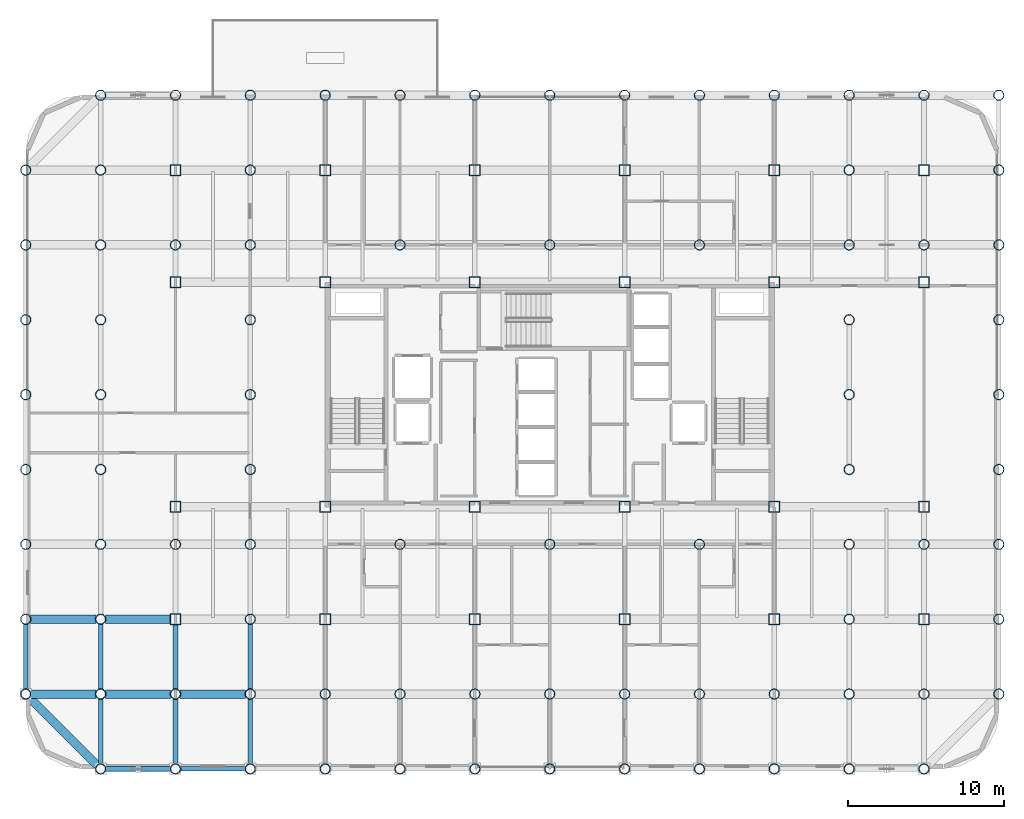
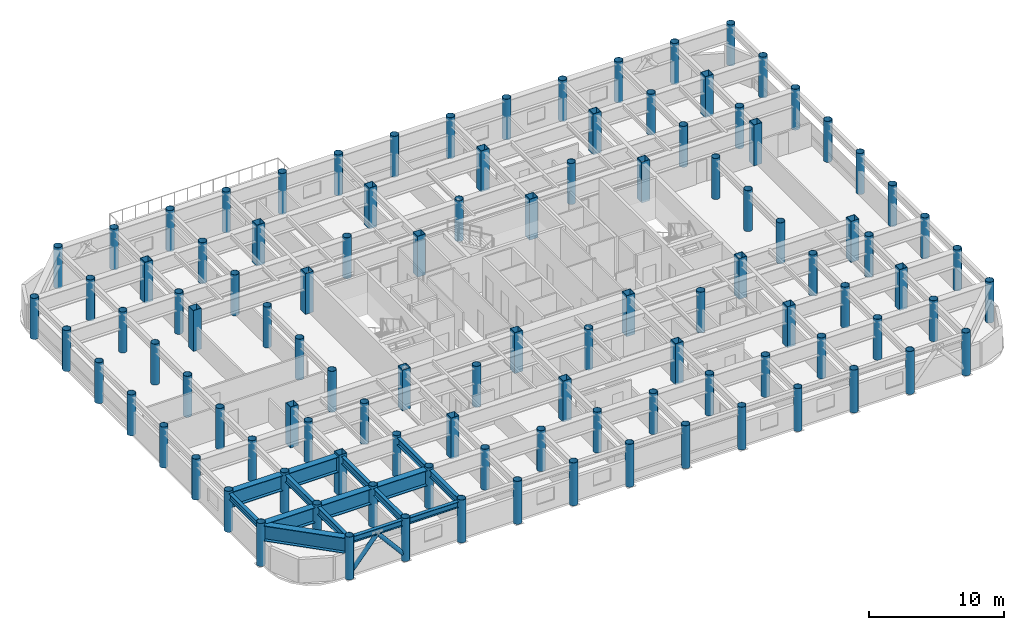
# One storey, part 1 of 22: 108 columns, 15 beams, 2 members.
"""IFC4 building model written with IfcOpenShell, lengths in metres."""

from ifc_helpers import new_model, si_unit, direction, frame, origin, origin_2d, place, context, subcontext, project, spatial, hollow_rectangle, hollow_circle, i_section, extrude, material, material_profile, profile_set, type_object, element, save


model = new_model("IFC4")

# Units and contexts
model_context = context("Model", 3, precision=1e-05, world=origin(), true_north=direction((0.0, 1.0)))
body_context = subcontext(model_context, "Body", "Model", "MODEL_VIEW")
ifc_project = project(units=[si_unit("LENGTHUNIT", "METRE"), si_unit("AREAUNIT", "SQUARE_METRE"), si_unit("VOLUMEUNIT", "CUBIC_METRE"), si_unit("PLANEANGLEUNIT", "RADIAN"), si_unit("MASSUNIT", "GRAM", prefix="KILO")], contexts=[model_context])

# Site, building, storey
site_placement = place(None, origin())
site = spatial("IfcSite", under=ifc_project, at=site_placement, CompositionType="ELEMENT")
building_placement = place(site_placement, origin())
building = spatial("IfcBuilding", under=site, at=building_placement, Name="Kallvorn Hotel Tower", CompositionType="ELEMENT")
storey_placement = place(building_placement, frame((0.0, 0.0, 154.39990234375)))
storey = spatial("IfcBuildingStorey", under=building, at=storey_placement, Name="L38", CompositionType="ELEMENT", Elevation=154.39990234375)

# Columns
ifc_material_1 = material(Name="Structural steel S355J2H", Category="steel")
ifc_material_profile_1 = material_profile(ifc_material_1, hollow_circle(Radius=0.330078125, WallThickness=0.028076171875, at=origin_2d()), Name="CHS 660x28")
ifc_profile_set_1 = profile_set([ifc_material_profile_1], Name="Structural steel S355J2H")
column_type_1 = type_object("IfcColumnType", Name="COL_CHS_660", PredefinedType="COLUMN", material=ifc_profile_set_1)
column_1_placement = place(storey_placement, frame((-33.60009765625, -19.199951171875, -0.179931640625), z_axis=(0.0, 0.0, 1.0), x_axis=(1.0, 0.0, 0.0)))
element("IfcColumn", 1, at=column_1_placement, inside=storey, type_object=column_type_1, Name="L38 Exoskeleton Column EC01", PredefinedType="COLUMN", context=body_context, shape_type="SweptSolid", body=[
    extrude(hollow_circle(Radius=0.330078125, WallThickness=0.028076171875, at=origin_2d()), origin(), (0.0, 0.0, 1.0), 3.880126953125),
])
for number, where, z_axis, x_axis, name in (
    (2, (-33.60009765625, -14.39990234375, 0.0), (0.0, 0.0, 1.0), (1.0, 0.0, 0.0), "L38 Exoskeleton Column EC02"),
    (3, (-33.60009765625, -9.60009765625, 0.0), (0.0, 0.0, 1.0), (1.0, 0.0, 0.0), "L38 Exoskeleton Column EC03"),
    (4, (-33.60009765625, -4.800048828125, 0.0), (0.0, 0.0, 1.0), (1.0, 0.0, 0.0), "L38 Exoskeleton Column EC04"),
    (5, (-33.60009765625, 0.0, 0.0), (0.0, 0.0, 1.0), (1.0, 0.0, 0.0), "L38 Exoskeleton Column EC05"),
    (6, (-33.60009765625, 4.800048828125, 0.0), (0.0, 0.0, 1.0), (1.0, 0.0, 0.0), "L38 Exoskeleton Column EC06"),
    (7, (-33.60009765625, 9.60009765625, 0.0), (0.0, 0.0, 1.0), (1.0, 0.0, 0.0), "L38 Exoskeleton Column EC07"),
    (8, (-33.60009765625, 14.39990234375, 0.0), (0.0, 0.0, 1.0), (1.0, 0.0, 0.0), "L38 Exoskeleton Column EC08"),
):
    element("IfcColumn", number, at=place(storey_placement, frame(where, z_axis=z_axis, x_axis=x_axis)), inside=storey, type_object=column_type_1, Name=name, PredefinedType="COLUMN", context=body_context, shape_type="SweptSolid", body=[
        extrude(hollow_circle(Radius=0.330078125, WallThickness=0.028076171875, at=origin_2d()), origin(), (0.0, 0.0, 1.0), 3.7001953125),
    ])
column_2_placement = place(storey_placement, frame((-28.800048828125, -24.0, -0.179931640625), z_axis=(0.0, 0.0, 1.0), x_axis=(1.0, 0.0, 0.0)))
element("IfcColumn", 9, at=column_2_placement, inside=storey, type_object=column_type_1, Name="L38 Exoskeleton Column EC09", PredefinedType="COLUMN", context=body_context, shape_type="SweptSolid", body=[
    extrude(hollow_circle(Radius=0.330078125, WallThickness=0.028076171875, at=origin_2d()), origin(), (0.0, 0.0, 1.0), 3.880126953125),
])
for number, where, z_axis, x_axis, name in (
    (10, (-28.800048828125, -19.199951171875, 0.0), (0.0, 0.0, 1.0), (1.0, 0.0, 0.0), "L38 Exoskeleton Column EC10"),
    (11, (-28.800048828125, -14.39990234375, 0.0), (0.0, 0.0, 1.0), (1.0, 0.0, 0.0), "L38 Exoskeleton Column EC11"),
    (12, (-28.800048828125, -9.60009765625, 0.0), (0.0, 0.0, 1.0), (1.0, 0.0, 0.0), "L38 Exoskeleton Column EC12"),
    (13, (-28.800048828125, -4.800048828125, 0.0), (0.0, 0.0, 1.0), (1.0, 0.0, 0.0), "L38 Exoskeleton Column EC13"),
    (14, (-28.800048828125, 0.0, 0.0), (0.0, 0.0, 1.0), (1.0, 0.0, 0.0), "L38 Exoskeleton Column EC14"),
    (15, (-28.800048828125, 4.800048828125, 0.0), (0.0, 0.0, 1.0), (1.0, 0.0, 0.0), "L38 Exoskeleton Column EC15"),
    (16, (-28.800048828125, 9.60009765625, 0.0), (0.0, 0.0, 1.0), (1.0, 0.0, 0.0), "L38 Exoskeleton Column EC16"),
    (17, (-28.800048828125, 14.39990234375, 0.0), (0.0, 0.0, 1.0), (1.0, 0.0, 0.0), "L38 Exoskeleton Column EC17"),
    (18, (-28.800048828125, 19.199951171875, 0.0), (0.0, 0.0, 1.0), (1.0, 0.0, 0.0), "L38 Exoskeleton Column EC18"),
):
    element("IfcColumn", number, at=place(storey_placement, frame(where, z_axis=z_axis, x_axis=x_axis)), inside=storey, type_object=column_type_1, Name=name, PredefinedType="COLUMN", context=body_context, shape_type="SweptSolid", body=[
        extrude(hollow_circle(Radius=0.330078125, WallThickness=0.028076171875, at=origin_2d()), origin(), (0.0, 0.0, 1.0), 3.7001953125),
    ])
column_3_placement = place(storey_placement, frame((-24.0, -24.0, -0.179931640625), z_axis=(0.0, 0.0, 1.0), x_axis=(1.0, 0.0, 0.0)))
element("IfcColumn", 19, at=column_3_placement, inside=storey, type_object=column_type_1, Name="L38 Exoskeleton Column EC19", PredefinedType="COLUMN", context=body_context, shape_type="SweptSolid", body=[
    extrude(hollow_circle(Radius=0.330078125, WallThickness=0.028076171875, at=origin_2d()), origin(), (0.0, 0.0, 1.0), 3.880126953125),
])
for number, where, z_axis, x_axis, name in (
    (20, (-24.0, -19.199951171875, 0.0), (0.0, 0.0, 1.0), (1.0, 0.0, 0.0), "L38 Exoskeleton Column EC20"),
    (21, (-24.0, -9.60009765625, 0.0), (0.0, 0.0, 1.0), (1.0, 0.0, 0.0), "L38 Exoskeleton Column EC21"),
    (22, (-24.0, 9.60009765625, 0.0), (0.0, 0.0, 1.0), (1.0, 0.0, 0.0), "L38 Exoskeleton Column EC22"),
    (23, (-24.0, 19.199951171875, 0.0), (0.0, 0.0, 1.0), (1.0, 0.0, 0.0), "L38 Exoskeleton Column EC23"),
):
    element("IfcColumn", number, at=place(storey_placement, frame(where, z_axis=z_axis, x_axis=x_axis)), inside=storey, type_object=column_type_1, Name=name, PredefinedType="COLUMN", context=body_context, shape_type="SweptSolid", body=[
        extrude(hollow_circle(Radius=0.330078125, WallThickness=0.028076171875, at=origin_2d()), origin(), (0.0, 0.0, 1.0), 3.7001953125),
    ])
column_4_placement = place(storey_placement, frame((-19.199951171875, -24.0, -0.179931640625), z_axis=(0.0, 0.0, 1.0), x_axis=(1.0, 0.0, 0.0)))
element("IfcColumn", 24, at=column_4_placement, inside=storey, type_object=column_type_1, Name="L38 Exoskeleton Column EC24", PredefinedType="COLUMN", context=body_context, shape_type="SweptSolid", body=[
    extrude(hollow_circle(Radius=0.330078125, WallThickness=0.028076171875, at=origin_2d()), origin(), (0.0, 0.0, 1.0), 3.880126953125),
])
for number, where, z_axis, x_axis, name in (
    (25, (-19.199951171875, -19.199951171875, 0.0), (0.0, 0.0, 1.0), (1.0, 0.0, 0.0), "L38 Exoskeleton Column EC25"),
    (26, (-19.199951171875, -14.39990234375, 0.0), (0.0, 0.0, 1.0), (1.0, 0.0, 0.0), "L38 Exoskeleton Column EC26"),
    (27, (-19.199951171875, -9.60009765625, 0.0), (0.0, 0.0, 1.0), (1.0, 0.0, 0.0), "L38 Exoskeleton Column EC27"),
    (28, (-19.199951171875, -4.800048828125, 0.0), (0.0, 0.0, 1.0), (1.0, 0.0, 0.0), "L38 Exoskeleton Column EC28"),
    (29, (-19.199951171875, 0.0, 0.0), (0.0, 0.0, 1.0), (1.0, 0.0, 0.0), "L38 Exoskeleton Column EC29"),
    (30, (-19.199951171875, 4.800048828125, 0.0), (0.0, 0.0, 1.0), (1.0, 0.0, 0.0), "L38 Exoskeleton Column EC30"),
    (31, (-19.199951171875, 9.60009765625, 0.0), (0.0, 0.0, 1.0), (1.0, 0.0, 0.0), "L38 Exoskeleton Column EC31"),
    (32, (-19.199951171875, 14.39990234375, 0.0), (0.0, 0.0, 1.0), (1.0, 0.0, 0.0), "L38 Exoskeleton Column EC32"),
    (33, (-19.199951171875, 19.199951171875, 0.0), (0.0, 0.0, 1.0), (1.0, 0.0, 0.0), "L38 Exoskeleton Column EC33"),
):
    element("IfcColumn", number, at=place(storey_placement, frame(where, z_axis=z_axis, x_axis=x_axis)), inside=storey, type_object=column_type_1, Name=name, PredefinedType="COLUMN", context=body_context, shape_type="SweptSolid", body=[
        extrude(hollow_circle(Radius=0.330078125, WallThickness=0.028076171875, at=origin_2d()), origin(), (0.0, 0.0, 1.0), 3.7001953125),
    ])
column_5_placement = place(storey_placement, frame((-14.39990234375, -24.0, -0.179931640625), z_axis=(0.0, 0.0, 1.0), x_axis=(1.0, 0.0, 0.0)))
element("IfcColumn", 34, at=column_5_placement, inside=storey, type_object=column_type_1, Name="L38 Exoskeleton Column EC34", PredefinedType="COLUMN", context=body_context, shape_type="SweptSolid", body=[
    extrude(hollow_circle(Radius=0.330078125, WallThickness=0.028076171875, at=origin_2d()), origin(), (0.0, 0.0, 1.0), 3.880126953125),
])
for number, where, z_axis, x_axis, name in (
    (35, (-14.39990234375, -19.199951171875, 0.0), (0.0, 0.0, 1.0), (1.0, 0.0, 0.0), "L38 Exoskeleton Column EC35"),
    (36, (-14.39990234375, 19.199951171875, 0.0), (0.0, 0.0, 1.0), (1.0, 0.0, 0.0), "L38 Exoskeleton Column EC36"),
):
    element("IfcColumn", number, at=place(storey_placement, frame(where, z_axis=z_axis, x_axis=x_axis)), inside=storey, type_object=column_type_1, Name=name, PredefinedType="COLUMN", context=body_context, shape_type="SweptSolid", body=[
        extrude(hollow_circle(Radius=0.330078125, WallThickness=0.028076171875, at=origin_2d()), origin(), (0.0, 0.0, 1.0), 3.7001953125),
    ])
column_6_placement = place(storey_placement, frame((-9.60009765625, -24.0, -0.179931640625), z_axis=(0.0, 0.0, 1.0), x_axis=(1.0, 0.0, 0.0)))
element("IfcColumn", 37, at=column_6_placement, inside=storey, type_object=column_type_1, Name="L38 Exoskeleton Column EC37", PredefinedType="COLUMN", context=body_context, shape_type="SweptSolid", body=[
    extrude(hollow_circle(Radius=0.330078125, WallThickness=0.028076171875, at=origin_2d()), origin(), (0.0, 0.0, 1.0), 3.880126953125),
])
for number, where, z_axis, x_axis, name in (
    (38, (-9.60009765625, -19.199951171875, 0.0), (0.0, 0.0, 1.0), (1.0, 0.0, 0.0), "L38 Exoskeleton Column EC38"),
    (39, (-9.60009765625, -9.60009765625, 0.0), (0.0, 0.0, 1.0), (1.0, 0.0, 0.0), "L38 Exoskeleton Column EC39"),
    (40, (-9.60009765625, 9.60009765625, 0.0), (0.0, 0.0, 1.0), (1.0, 0.0, 0.0), "L38 Exoskeleton Column EC40"),
    (41, (-9.60009765625, 19.199951171875, 0.0), (0.0, 0.0, 1.0), (1.0, 0.0, 0.0), "L38 Exoskeleton Column EC41"),
):
    element("IfcColumn", number, at=place(storey_placement, frame(where, z_axis=z_axis, x_axis=x_axis)), inside=storey, type_object=column_type_1, Name=name, PredefinedType="COLUMN", context=body_context, shape_type="SweptSolid", body=[
        extrude(hollow_circle(Radius=0.330078125, WallThickness=0.028076171875, at=origin_2d()), origin(), (0.0, 0.0, 1.0), 3.7001953125),
    ])
column_7_placement = place(storey_placement, frame((-4.800048828125, -24.0, -0.179931640625), z_axis=(0.0, 0.0, 1.0), x_axis=(1.0, 0.0, 0.0)))
element("IfcColumn", 42, at=column_7_placement, inside=storey, type_object=column_type_1, Name="L38 Exoskeleton Column EC42", PredefinedType="COLUMN", context=body_context, shape_type="SweptSolid", body=[
    extrude(hollow_circle(Radius=0.330078125, WallThickness=0.028076171875, at=origin_2d()), origin(), (0.0, 0.0, 1.0), 3.880126953125),
])
for number, where, z_axis, x_axis, name in (
    (43, (-4.800048828125, -19.199951171875, 0.0), (0.0, 0.0, 1.0), (1.0, 0.0, 0.0), "L38 Exoskeleton Column EC43"),
    (44, (-4.800048828125, 19.199951171875, 0.0), (0.0, 0.0, 1.0), (1.0, 0.0, 0.0), "L38 Exoskeleton Column EC44"),
):
    element("IfcColumn", number, at=place(storey_placement, frame(where, z_axis=z_axis, x_axis=x_axis)), inside=storey, type_object=column_type_1, Name=name, PredefinedType="COLUMN", context=body_context, shape_type="SweptSolid", body=[
        extrude(hollow_circle(Radius=0.330078125, WallThickness=0.028076171875, at=origin_2d()), origin(), (0.0, 0.0, 1.0), 3.7001953125),
    ])
column_8_placement = place(storey_placement, frame((0.0, -24.0, -0.179931640625), z_axis=(0.0, 0.0, 1.0), x_axis=(1.0, 0.0, 0.0)))
element("IfcColumn", 45, at=column_8_placement, inside=storey, type_object=column_type_1, Name="L38 Exoskeleton Column EC45", PredefinedType="COLUMN", context=body_context, shape_type="SweptSolid", body=[
    extrude(hollow_circle(Radius=0.330078125, WallThickness=0.028076171875, at=origin_2d()), origin(), (0.0, 0.0, 1.0), 3.880126953125),
])
for number, where, z_axis, x_axis, name in (
    (46, (0.0, -19.199951171875, 0.0), (0.0, 0.0, 1.0), (1.0, 0.0, 0.0), "L38 Exoskeleton Column EC46"),
    (47, (0.0, -9.60009765625, 0.0), (0.0, 0.0, 1.0), (1.0, 0.0, 0.0), "L38 Exoskeleton Column EC47"),
    (48, (0.0, 9.60009765625, 0.0), (0.0, 0.0, 1.0), (1.0, 0.0, 0.0), "L38 Exoskeleton Column EC48"),
    (49, (0.0, 19.199951171875, 0.0), (0.0, 0.0, 1.0), (1.0, 0.0, 0.0), "L38 Exoskeleton Column EC49"),
):
    element("IfcColumn", number, at=place(storey_placement, frame(where, z_axis=z_axis, x_axis=x_axis)), inside=storey, type_object=column_type_1, Name=name, PredefinedType="COLUMN", context=body_context, shape_type="SweptSolid", body=[
        extrude(hollow_circle(Radius=0.330078125, WallThickness=0.028076171875, at=origin_2d()), origin(), (0.0, 0.0, 1.0), 3.7001953125),
    ])
column_9_placement = place(storey_placement, frame((4.800048828125, -24.0, -0.179931640625), z_axis=(0.0, 0.0, 1.0), x_axis=(1.0, 0.0, 0.0)))
element("IfcColumn", 50, at=column_9_placement, inside=storey, type_object=column_type_1, Name="L38 Exoskeleton Column EC50", PredefinedType="COLUMN", context=body_context, shape_type="SweptSolid", body=[
    extrude(hollow_circle(Radius=0.330078125, WallThickness=0.028076171875, at=origin_2d()), origin(), (0.0, 0.0, 1.0), 3.880126953125),
])
for number, where, z_axis, x_axis, name in (
    (51, (4.800048828125, -19.199951171875, 0.0), (0.0, 0.0, 1.0), (1.0, 0.0, 0.0), "L38 Exoskeleton Column EC51"),
    (52, (4.800048828125, 19.199951171875, 0.0), (0.0, 0.0, 1.0), (1.0, 0.0, 0.0), "L38 Exoskeleton Column EC52"),
):
    element("IfcColumn", number, at=place(storey_placement, frame(where, z_axis=z_axis, x_axis=x_axis)), inside=storey, type_object=column_type_1, Name=name, PredefinedType="COLUMN", context=body_context, shape_type="SweptSolid", body=[
        extrude(hollow_circle(Radius=0.330078125, WallThickness=0.028076171875, at=origin_2d()), origin(), (0.0, 0.0, 1.0), 3.7001953125),
    ])
column_10_placement = place(storey_placement, frame((9.60009765625, -24.0, -0.179931640625), z_axis=(0.0, 0.0, 1.0), x_axis=(1.0, 0.0, 0.0)))
element("IfcColumn", 53, at=column_10_placement, inside=storey, type_object=column_type_1, Name="L38 Exoskeleton Column EC53", PredefinedType="COLUMN", context=body_context, shape_type="SweptSolid", body=[
    extrude(hollow_circle(Radius=0.330078125, WallThickness=0.028076171875, at=origin_2d()), origin(), (0.0, 0.0, 1.0), 3.880126953125),
])
for number, where, z_axis, x_axis, name in (
    (54, (9.60009765625, -19.199951171875, 0.0), (0.0, 0.0, 1.0), (1.0, 0.0, 0.0), "L38 Exoskeleton Column EC54"),
    (55, (9.60009765625, -9.60009765625, 0.0), (0.0, 0.0, 1.0), (1.0, 0.0, 0.0), "L38 Exoskeleton Column EC55"),
    (56, (9.60009765625, 9.60009765625, 0.0), (0.0, 0.0, 1.0), (1.0, 0.0, 0.0), "L38 Exoskeleton Column EC56"),
    (57, (9.60009765625, 19.199951171875, 0.0), (0.0, 0.0, 1.0), (1.0, 0.0, 0.0), "L38 Exoskeleton Column EC57"),
):
    element("IfcColumn", number, at=place(storey_placement, frame(where, z_axis=z_axis, x_axis=x_axis)), inside=storey, type_object=column_type_1, Name=name, PredefinedType="COLUMN", context=body_context, shape_type="SweptSolid", body=[
        extrude(hollow_circle(Radius=0.330078125, WallThickness=0.028076171875, at=origin_2d()), origin(), (0.0, 0.0, 1.0), 3.7001953125),
    ])
column_11_placement = place(storey_placement, frame((14.39990234375, -24.0, -0.179931640625), z_axis=(0.0, 0.0, 1.0), x_axis=(1.0, 0.0, 0.0)))
element("IfcColumn", 58, at=column_11_placement, inside=storey, type_object=column_type_1, Name="L38 Exoskeleton Column EC58", PredefinedType="COLUMN", context=body_context, shape_type="SweptSolid", body=[
    extrude(hollow_circle(Radius=0.330078125, WallThickness=0.028076171875, at=origin_2d()), origin(), (0.0, 0.0, 1.0), 3.880126953125),
])
for number, where, z_axis, x_axis, name in (
    (59, (14.39990234375, -19.199951171875, 0.0), (0.0, 0.0, 1.0), (1.0, 0.0, 0.0), "L38 Exoskeleton Column EC59"),
    (60, (14.39990234375, 19.199951171875, 0.0), (0.0, 0.0, 1.0), (1.0, 0.0, 0.0), "L38 Exoskeleton Column EC60"),
):
    element("IfcColumn", number, at=place(storey_placement, frame(where, z_axis=z_axis, x_axis=x_axis)), inside=storey, type_object=column_type_1, Name=name, PredefinedType="COLUMN", context=body_context, shape_type="SweptSolid", body=[
        extrude(hollow_circle(Radius=0.330078125, WallThickness=0.028076171875, at=origin_2d()), origin(), (0.0, 0.0, 1.0), 3.7001953125),
    ])
column_12_placement = place(storey_placement, frame((19.199951171875, -24.0, -0.179931640625), z_axis=(0.0, 0.0, 1.0), x_axis=(1.0, 0.0, 0.0)))
element("IfcColumn", 61, at=column_12_placement, inside=storey, type_object=column_type_1, Name="L38 Exoskeleton Column EC61", PredefinedType="COLUMN", context=body_context, shape_type="SweptSolid", body=[
    extrude(hollow_circle(Radius=0.330078125, WallThickness=0.028076171875, at=origin_2d()), origin(), (0.0, 0.0, 1.0), 3.880126953125),
])
for number, where, z_axis, x_axis, name in (
    (62, (19.199951171875, -19.199951171875, 0.0), (0.0, 0.0, 1.0), (1.0, 0.0, 0.0), "L38 Exoskeleton Column EC62"),
    (63, (19.199951171875, -14.39990234375, 0.0), (0.0, 0.0, 1.0), (1.0, 0.0, 0.0), "L38 Exoskeleton Column EC63"),
    (64, (19.199951171875, -9.60009765625, 0.0), (0.0, 0.0, 1.0), (1.0, 0.0, 0.0), "L38 Exoskeleton Column EC64"),
    (65, (19.199951171875, -4.800048828125, 0.0), (0.0, 0.0, 1.0), (1.0, 0.0, 0.0), "L38 Exoskeleton Column EC65"),
    (66, (19.199951171875, 0.0, 0.0), (0.0, 0.0, 1.0), (1.0, 0.0, 0.0), "L38 Exoskeleton Column EC66"),
    (67, (19.199951171875, 4.800048828125, 0.0), (0.0, 0.0, 1.0), (1.0, 0.0, 0.0), "L38 Exoskeleton Column EC67"),
    (68, (19.199951171875, 9.60009765625, 0.0), (0.0, 0.0, 1.0), (1.0, 0.0, 0.0), "L38 Exoskeleton Column EC68"),
    (69, (19.199951171875, 14.39990234375, 0.0), (0.0, 0.0, 1.0), (1.0, 0.0, 0.0), "L38 Exoskeleton Column EC69"),
    (70, (19.199951171875, 19.199951171875, 0.0), (0.0, 0.0, 1.0), (1.0, 0.0, 0.0), "L38 Exoskeleton Column EC70"),
):
    element("IfcColumn", number, at=place(storey_placement, frame(where, z_axis=z_axis, x_axis=x_axis)), inside=storey, type_object=column_type_1, Name=name, PredefinedType="COLUMN", context=body_context, shape_type="SweptSolid", body=[
        extrude(hollow_circle(Radius=0.330078125, WallThickness=0.028076171875, at=origin_2d()), origin(), (0.0, 0.0, 1.0), 3.7001953125),
    ])
column_13_placement = place(storey_placement, frame((24.0, -24.0, -0.179931640625), z_axis=(0.0, 0.0, 1.0), x_axis=(1.0, 0.0, 0.0)))
element("IfcColumn", 71, at=column_13_placement, inside=storey, type_object=column_type_1, Name="L38 Exoskeleton Column EC71", PredefinedType="COLUMN", context=body_context, shape_type="SweptSolid", body=[
    extrude(hollow_circle(Radius=0.330078125, WallThickness=0.028076171875, at=origin_2d()), origin(), (0.0, 0.0, 1.0), 3.880126953125),
])
for number, where, z_axis, x_axis, name in (
    (72, (24.0, -19.199951171875, 0.0), (0.0, 0.0, 1.0), (1.0, 0.0, 0.0), "L38 Exoskeleton Column EC72"),
    (73, (24.0, -9.60009765625, 0.0), (0.0, 0.0, 1.0), (1.0, 0.0, 0.0), "L38 Exoskeleton Column EC73"),
    (74, (24.0, 9.60009765625, 0.0), (0.0, 0.0, 1.0), (1.0, 0.0, 0.0), "L38 Exoskeleton Column EC74"),
    (75, (24.0, 19.199951171875, 0.0), (0.0, 0.0, 1.0), (1.0, 0.0, 0.0), "L38 Exoskeleton Column EC75"),
    (76, (28.800048828125, -19.199951171875, 0.0), (0.0, 0.0, 1.0), (1.0, 0.0, 0.0), "L38 Exoskeleton Column EC76"),
    (77, (28.800048828125, -14.39990234375, 0.0), (0.0, 0.0, 1.0), (1.0, 0.0, 0.0), "L38 Exoskeleton Column EC77"),
    (78, (28.800048828125, -9.60009765625, 0.0), (0.0, 0.0, 1.0), (1.0, 0.0, 0.0), "L38 Exoskeleton Column EC78"),
    (79, (28.800048828125, -4.800048828125, 0.0), (0.0, 0.0, 1.0), (1.0, 0.0, 0.0), "L38 Exoskeleton Column EC79"),
    (80, (28.800048828125, 0.0, 0.0), (0.0, 0.0, 1.0), (1.0, 0.0, 0.0), "L38 Exoskeleton Column EC80"),
    (81, (28.800048828125, 4.800048828125, 0.0), (0.0, 0.0, 1.0), (1.0, 0.0, 0.0), "L38 Exoskeleton Column EC81"),
    (82, (28.800048828125, 9.60009765625, 0.0), (0.0, 0.0, 1.0), (1.0, 0.0, 0.0), "L38 Exoskeleton Column EC82"),
    (83, (28.800048828125, 14.39990234375, 0.0), (0.0, 0.0, 1.0), (1.0, 0.0, 0.0), "L38 Exoskeleton Column EC83"),
    (84, (28.800048828125, 19.199951171875, 0.0), (0.0, 0.0, 1.0), (1.0, 0.0, 0.0), "L38 Exoskeleton Column EC84"),
):
    element("IfcColumn", number, at=place(storey_placement, frame(where, z_axis=z_axis, x_axis=x_axis)), inside=storey, type_object=column_type_1, Name=name, PredefinedType="COLUMN", context=body_context, shape_type="SweptSolid", body=[
        extrude(hollow_circle(Radius=0.330078125, WallThickness=0.028076171875, at=origin_2d()), origin(), (0.0, 0.0, 1.0), 3.7001953125),
    ])
ifc_material_2 = material(Name="Structural steel S355J2H", Category="steel")
ifc_material_profile_2 = material_profile(ifc_material_2, hollow_rectangle(XDim=0.699951171875, YDim=0.699951171875, WallThickness=0.031982421875, at=origin_2d()), Name="RHS 700x700x32")
ifc_profile_set_2 = profile_set([ifc_material_profile_2], Name="Structural steel S355J2H")
column_type_2 = type_object("IfcColumnType", Name="COL_RHS_700", PredefinedType="COLUMN", material=ifc_profile_set_2)
for number, where, z_axis, x_axis, name in (
    (85, (-24.0, -14.39990234375, 0.0), (0.0, 0.0, 1.0), (1.0, 0.0, 0.0), "L38 Inner Column IC01"),
    (86, (-24.0, -7.199951171875, 0.0), (0.0, 0.0, 1.0), (1.0, 0.0, 0.0), "L38 Inner Column IC02"),
    (87, (-24.0, 7.199951171875, 0.0), (0.0, 0.0, 1.0), (1.0, 0.0, 0.0), "L38 Inner Column IC03"),
    (88, (-24.0, 14.39990234375, 0.0), (0.0, 0.0, 1.0), (1.0, 0.0, 0.0), "L38 Inner Column IC04"),
    (89, (-14.39990234375, -14.39990234375, 0.0), (0.0, 0.0, 1.0), (1.0, 0.0, 0.0), "L38 Inner Column IC05"),
    (90, (-14.39990234375, -7.199951171875, 0.0), (0.0, 0.0, 1.0), (1.0, 0.0, 0.0), "L38 Inner Column IC06"),
    (91, (-14.39990234375, 7.199951171875, 0.0), (0.0, 0.0, 1.0), (1.0, 0.0, 0.0), "L38 Inner Column IC07"),
    (92, (-14.39990234375, 14.39990234375, 0.0), (0.0, 0.0, 1.0), (1.0, 0.0, 0.0), "L38 Inner Column IC08"),
    (93, (-4.800048828125, -14.39990234375, 0.0), (0.0, 0.0, 1.0), (1.0, 0.0, 0.0), "L38 Inner Column IC09"),
    (94, (-4.800048828125, -7.199951171875, 0.0), (0.0, 0.0, 1.0), (1.0, 0.0, 0.0), "L38 Inner Column IC10"),
    (95, (-4.800048828125, 7.199951171875, 0.0), (0.0, 0.0, 1.0), (1.0, 0.0, 0.0), "L38 Inner Column IC11"),
    (96, (-4.800048828125, 14.39990234375, 0.0), (0.0, 0.0, 1.0), (1.0, 0.0, 0.0), "L38 Inner Column IC12"),
    (97, (4.800048828125, -14.39990234375, 0.0), (0.0, 0.0, 1.0), (1.0, 0.0, 0.0), "L38 Inner Column IC13"),
    (98, (4.800048828125, -7.199951171875, 0.0), (0.0, 0.0, 1.0), (1.0, 0.0, 0.0), "L38 Inner Column IC14"),
    (99, (4.800048828125, 7.199951171875, 0.0), (0.0, 0.0, 1.0), (1.0, 0.0, 0.0), "L38 Inner Column IC15"),
    (100, (4.800048828125, 14.39990234375, 0.0), (0.0, 0.0, 1.0), (1.0, 0.0, 0.0), "L38 Inner Column IC16"),
    (101, (14.39990234375, -14.39990234375, 0.0), (0.0, 0.0, 1.0), (1.0, 0.0, 0.0), "L38 Inner Column IC17"),
    (102, (14.39990234375, -7.199951171875, 0.0), (0.0, 0.0, 1.0), (1.0, 0.0, 0.0), "L38 Inner Column IC18"),
    (103, (14.39990234375, 7.199951171875, 0.0), (0.0, 0.0, 1.0), (1.0, 0.0, 0.0), "L38 Inner Column IC19"),
    (104, (14.39990234375, 14.39990234375, 0.0), (0.0, 0.0, 1.0), (1.0, 0.0, 0.0), "L38 Inner Column IC20"),
    (105, (24.0, -14.39990234375, 0.0), (0.0, 0.0, 1.0), (1.0, 0.0, 0.0), "L38 Inner Column IC21"),
    (106, (24.0, -7.199951171875, 0.0), (0.0, 0.0, 1.0), (1.0, 0.0, 0.0), "L38 Inner Column IC22"),
    (107, (24.0, 7.199951171875, 0.0), (0.0, 0.0, 1.0), (1.0, 0.0, 0.0), "L38 Inner Column IC23"),
    (108, (24.0, 14.39990234375, 0.0), (0.0, 0.0, 1.0), (1.0, 0.0, 0.0), "L38 Inner Column IC24"),
):
    element("IfcColumn", number, at=place(storey_placement, frame(where, z_axis=z_axis, x_axis=x_axis)), inside=storey, type_object=column_type_2, Name=name, PredefinedType="COLUMN", context=body_context, shape_type="SweptSolid", body=[
        extrude(hollow_rectangle(XDim=0.699951171875, YDim=0.699951171875, WallThickness=0.031982421875, at=origin_2d()), origin(), (0.0, 0.0, 1.0), 3.7001953125),
    ])

# Beams
ifc_material_3 = material(Name="Structural steel S355JR", Category="steel")
ifc_material_profile_3 = material_profile(ifc_material_3, i_section(OverallWidth=0.300048828125, OverallDepth=0.550048828125, WebThickness=0.014892578125, FlangeThickness=0.029052734375, at=origin_2d()), Name="HE 550 B")
ifc_profile_set_3 = profile_set([ifc_material_profile_3], Name="Structural steel S355JR")
beam_type_1 = type_object("IfcBeamType", Name="BM_HE550B", PredefinedType="SPANDREL", material=ifc_profile_set_3)
for number, where, z_axis, x_axis, name in (
    (109, (-28.47998046875, -24.0, 3.2451171875), (1.0, 0.0, 0.0), (0.0, 1.0, 0.0), "L39 Perimeter Spandrel 151"),
    (110, (-23.679931640625, -24.0, 3.2451171875), (1.0, 0.0, 0.0), (0.0, 1.0, 0.0), "L39 Perimeter Spandrel 152"),
    (111, (-33.60009765625, -18.8798828125, 3.2451171875), (0.0, 1.0, 0.0), (-1.0, 0.0, 0.0), "L39 Perimeter Spandrel 174"),
):
    element("IfcBeam", number, at=place(storey_placement, frame(where, z_axis=z_axis, x_axis=x_axis)), inside=storey, type_object=beam_type_1, Name=name, PredefinedType="SPANDREL", context=body_context, shape_type="SweptSolid", body=[
        extrude(i_section(OverallWidth=0.300048828125, OverallDepth=0.550048828125, WebThickness=0.014892578125, FlangeThickness=0.029052734375, at=origin_2d()), origin(), (0.0, 0.0, 1.0), 4.159912109375),
    ])
ifc_material_4 = material(Name="Structural steel S355JR", Category="steel")
ifc_material_profile_4 = material_profile(ifc_material_4, i_section(OverallWidth=0.300048828125, OverallDepth=0.64990234375, WebThickness=0.01611328125, FlangeThickness=0.031005859375, at=origin_2d()), Name="HE 650 B")
ifc_profile_set_4 = profile_set([ifc_material_profile_4], Name="Structural steel S355JR")
beam_type_2 = type_object("IfcBeamType", Name="BM_HE650B", PredefinedType="BEAM", material=ifc_profile_set_4)
beam_1_placement = place(storey_placement, frame((-28.800048828125, -23.695068359375, 3.195068359375), z_axis=(0.0, 1.0, 0.0), x_axis=(-1.0, 0.0, 0.0)))
element("IfcBeam", 112, at=beam_1_placement, inside=storey, type_object=beam_type_2, Name="L39 Primary Y-Girder 73", PredefinedType="BEAM", context=body_context, shape_type="SweptSolid", body=[
    extrude(i_section(OverallWidth=0.300048828125, OverallDepth=0.64990234375, WebThickness=0.01611328125, FlangeThickness=0.031005859375, at=origin_2d()), origin(), (0.0, 0.0, 1.0), 4.190185546875),
])
beam_2_placement = place(storey_placement, frame((-28.800048828125, -18.89501953125, 3.195068359375), z_axis=(0.0, 1.0, 0.0), x_axis=(-1.0, 0.0, 0.0)))
element("IfcBeam", 113, at=beam_2_placement, inside=storey, type_object=beam_type_2, Name="L39 Primary Y-Girder 74", PredefinedType="BEAM", context=body_context, shape_type="SweptSolid", body=[
    extrude(i_section(OverallWidth=0.300048828125, OverallDepth=0.64990234375, WebThickness=0.01611328125, FlangeThickness=0.031005859375, at=origin_2d()), origin(), (0.0, 0.0, 1.0), 4.18994140625),
])
beam_3_placement = place(storey_placement, frame((-24.0, -23.695068359375, 3.195068359375), z_axis=(0.0, 1.0, 0.0), x_axis=(-1.0, 0.0, 0.0)))
element("IfcBeam", 114, at=beam_3_placement, inside=storey, type_object=beam_type_2, Name="L39 Primary Y-Girder 82", PredefinedType="BEAM", context=body_context, shape_type="SweptSolid", body=[
    extrude(i_section(OverallWidth=0.300048828125, OverallDepth=0.64990234375, WebThickness=0.01611328125, FlangeThickness=0.031005859375, at=origin_2d()), origin(), (0.0, 0.0, 1.0), 4.190185546875),
])
beam_4_placement = place(storey_placement, frame((-24.0, -18.89501953125, 3.195068359375), z_axis=(0.0, 1.0, 0.0), x_axis=(-1.0, 0.0, 0.0)))
element("IfcBeam", 115, at=beam_4_placement, inside=storey, type_object=beam_type_2, Name="L39 Primary Y-Girder 83", PredefinedType="BEAM", context=body_context, shape_type="SweptSolid", body=[
    extrude(i_section(OverallWidth=0.300048828125, OverallDepth=0.64990234375, WebThickness=0.01611328125, FlangeThickness=0.031005859375, at=origin_2d()), origin(), (0.0, 0.0, 1.0), 4.169921875),
])
beam_5_placement = place(storey_placement, frame((-19.199951171875, -23.695068359375, 3.195068359375), z_axis=(0.0, 1.0, 0.0), x_axis=(-1.0, 0.0, 0.0)))
element("IfcBeam", 116, at=beam_5_placement, inside=storey, type_object=beam_type_2, Name="L39 Primary Y-Girder 89", PredefinedType="BEAM", context=body_context, shape_type="SweptSolid", body=[
    extrude(i_section(OverallWidth=0.300048828125, OverallDepth=0.64990234375, WebThickness=0.01611328125, FlangeThickness=0.031005859375, at=origin_2d()), origin(), (0.0, 0.0, 1.0), 4.190185546875),
])
beam_6_placement = place(storey_placement, frame((-19.199951171875, -18.89501953125, 3.195068359375), z_axis=(0.0, 1.0, 0.0), x_axis=(-1.0, 0.0, 0.0)))
element("IfcBeam", 117, at=beam_6_placement, inside=storey, type_object=beam_type_2, Name="L39 Primary Y-Girder 90", PredefinedType="BEAM", context=body_context, shape_type="SweptSolid", body=[
    extrude(i_section(OverallWidth=0.300048828125, OverallDepth=0.64990234375, WebThickness=0.01611328125, FlangeThickness=0.031005859375, at=origin_2d()), origin(), (0.0, 0.0, 1.0), 4.18994140625),
])
ifc_material_5 = material(Name="Structural steel S355JR", Category="steel")
ifc_material_profile_5 = material_profile(ifc_material_5, i_section(OverallWidth=0.550048828125, OverallDepth=1.39990234375, WebThickness=0.02490234375, FlangeThickness=0.044921875, at=origin_2d()), Name="PG 1400x550x25x45")
ifc_profile_set_5 = profile_set([ifc_material_profile_5], Name="Structural steel S355JR")
beam_type_3 = type_object("IfcBeamType", Name="BM_PG_1400", PredefinedType="BEAM", material=ifc_profile_set_5)
beam_7_placement = place(storey_placement, frame((-33.294921875, -19.199951171875, 2.820068359375), z_axis=(1.0, 0.0, 0.0), x_axis=(0.0, 1.0, 0.0)))
element("IfcBeam", 118, at=beam_7_placement, inside=storey, type_object=beam_type_3, Name="L39 Primary X-Girder 01", PredefinedType="BEAM", context=body_context, shape_type="SweptSolid", body=[
    extrude(i_section(OverallWidth=0.550048828125, OverallDepth=1.39990234375, WebThickness=0.02490234375, FlangeThickness=0.044921875, at=origin_2d()), origin(), (0.0, 0.0, 1.0), 4.18994140625),
])
for number, where, z_axis, x_axis, name in (
    (119, (-28.4951171875, -19.199951171875, 2.820068359375), (1.0, 0.0, 0.0), (0.0, 1.0, 0.0), "L39 Primary X-Girder 02"),
    (120, (-23.695068359375, -19.199951171875, 2.820068359375), (1.0, 0.0, 0.0), (0.0, 1.0, 0.0), "L39 Primary X-Girder 03"),
):
    element("IfcBeam", number, at=place(storey_placement, frame(where, z_axis=z_axis, x_axis=x_axis)), inside=storey, type_object=beam_type_3, Name=name, PredefinedType="BEAM", context=body_context, shape_type="SweptSolid", body=[
        extrude(i_section(OverallWidth=0.550048828125, OverallDepth=1.39990234375, WebThickness=0.02490234375, FlangeThickness=0.044921875, at=origin_2d()), origin(), (0.0, 0.0, 1.0), 4.190185546875),
    ])
beam_8_placement = place(storey_placement, frame((-33.294921875, -14.39990234375, 2.820068359375), z_axis=(1.0, 0.0, 0.0), x_axis=(0.0, 1.0, 0.0)))
element("IfcBeam", 121, at=beam_8_placement, inside=storey, type_object=beam_type_3, Name="L39 Primary X-Girder 14", PredefinedType="BEAM", context=body_context, shape_type="SweptSolid", body=[
    extrude(i_section(OverallWidth=0.550048828125, OverallDepth=1.39990234375, WebThickness=0.02490234375, FlangeThickness=0.044921875, at=origin_2d()), origin(), (0.0, 0.0, 1.0), 4.18994140625),
])
beam_9_placement = place(storey_placement, frame((-28.4951171875, -14.39990234375, 2.820068359375), z_axis=(1.0, 0.0, 0.0), x_axis=(0.0, 1.0, 0.0)))
element("IfcBeam", 122, at=beam_9_placement, inside=storey, type_object=beam_type_3, Name="L39 Primary X-Girder 15", PredefinedType="BEAM", context=body_context, shape_type="SweptSolid", body=[
    extrude(i_section(OverallWidth=0.550048828125, OverallDepth=1.39990234375, WebThickness=0.02490234375, FlangeThickness=0.044921875, at=origin_2d()), origin(), (0.0, 0.0, 1.0), 4.170166015625),
])
beam_10_placement = place(storey_placement, frame((-33.373779296875, -19.42626953125, 2.820068359375), z_axis=(0.707106781187, -0.707106781187, 0.0), x_axis=(0.707106781187, 0.707106781187, 0.0)))
element("IfcBeam", 123, at=beam_10_placement, inside=storey, type_object=beam_type_3, Name="L39 Rounded Corner Tie Beam 189", PredefinedType="BEAM", context=body_context, shape_type="SweptSolid", body=[
    extrude(i_section(OverallWidth=0.550048828125, OverallDepth=1.39990234375, WebThickness=0.02490234375, FlangeThickness=0.044921875, at=origin_2d()), origin(), (0.0, 0.0, 1.0), 6.148193359375),
])

# Members
ifc_material_6 = material(Name="Structural steel S355J2H", Category="steel")
ifc_material_profile_6 = material_profile(ifc_material_6, hollow_circle(Radius=0.177734375, WallThickness=0.01416015625, at=origin_2d()), Name="CHS 355.6x14.2")
ifc_profile_set_6 = profile_set([ifc_material_profile_6], Name="Structural steel S355J2H")
member_type = type_object("IfcMemberType", Name="MBR_EXO_CHS355", PredefinedType="BRACE", material=ifc_profile_set_6)
for number, where, z_axis, x_axis, name in (
    (124, (-28.787109375, -24.0, 0.1953125), (0.646800487591, 0.0, 0.762659248453), (0.0, 1.0, 0.0), "L38 Exoskeleton K-Brace S1A"),
    (125, (-24.012939453125, -24.0, 0.1953125), (-0.646800487591, 0.0, 0.762659248453), (0.0, -1.0, 0.0), "L38 Exoskeleton K-Brace S1B"),
):
    element("IfcMember", number, at=place(storey_placement, frame(where, z_axis=z_axis, x_axis=x_axis)), inside=storey, type_object=member_type, Name=name, PredefinedType="BRACE", context=body_context, shape_type="SweptSolid", body=[
        extrude(hollow_circle(Radius=0.177734375, WallThickness=0.01416015625, at=origin_2d()), origin(), (0.0, 0.0, 1.0), 3.6708984375),
    ])

save(model, "model.ifc")
